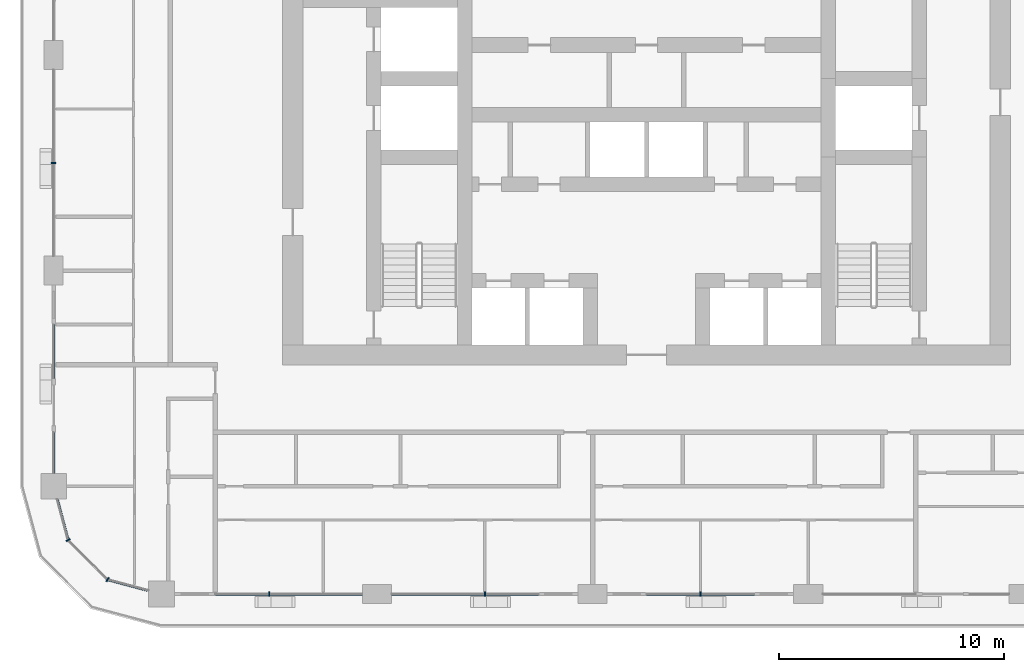
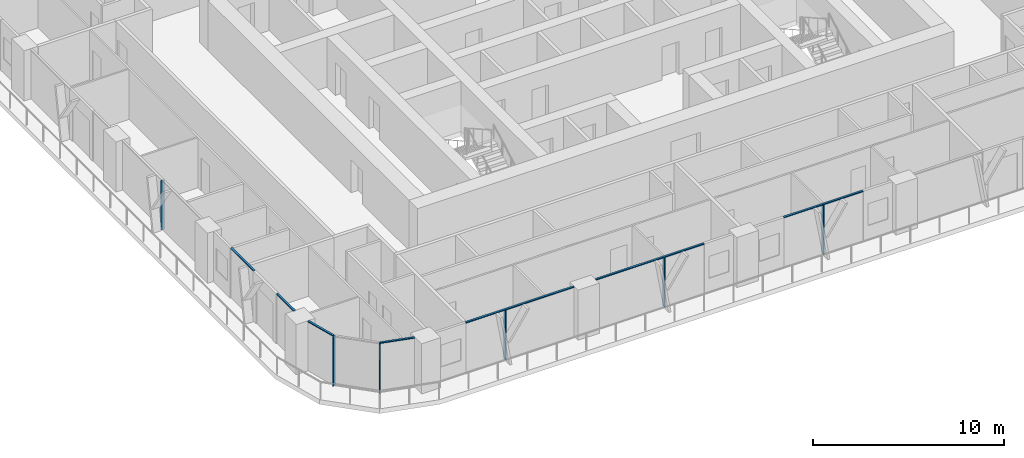
# One storey, part 2 of 21: 13 members, 6 elements without a shape of their own.
"""IFC4 building model written with IfcOpenShell, lengths in metres."""

from ifc_helpers import new_model, si_unit, direction, frame, origin, origin_2d, place, context, subcontext, project, spatial, rectangle, extrude, material, layer, layer_set, material_profile, profile_set, type_object, element, aggregate, save


model = new_model("IFC4")

# Units and contexts
model_context = context("Model", 3, precision=1e-05, world=origin(), true_north=direction((0.0, 1.0)))
body_context = subcontext(model_context, "Body", "Model", "MODEL_VIEW")
ifc_project = project(units=[si_unit("LENGTHUNIT", "METRE"), si_unit("AREAUNIT", "SQUARE_METRE"), si_unit("VOLUMEUNIT", "CUBIC_METRE"), si_unit("PLANEANGLEUNIT", "RADIAN"), si_unit("MASSUNIT", "GRAM", prefix="KILO")], contexts=[model_context])

# Site, building, storey
site_placement = place(None, origin())
site = spatial("IfcSite", under=ifc_project, at=site_placement, CompositionType="ELEMENT")
building_placement = place(site_placement, origin())
building = spatial("IfcBuilding", under=site, at=building_placement, Name="Madar Terraces", CompositionType="ELEMENT")
storey_placement = place(building_placement, frame((0.0, 0.0, 89.199951171875)))
storey = spatial("IfcBuildingStorey", under=building, at=storey_placement, Name="L22", CompositionType="ELEMENT", Elevation=89.199951171875)

# Curtain wall, member
ifc_material_1 = material(Name="Glass, ceramic frit dark grey, with black aluminium frame", Category="aluminium")
ifc_layer = layer(ifc_material_1, 0.199951171875)
ifc_layer_set = layer_set([ifc_layer], Name="Facade curtain wall, fritted glass")
curtain_wall_type = type_object("IfcCurtainWallType", Name="Facade curtain wall, fritted glass", PredefinedType="NOTDEFINED", material=ifc_layer_set)
curtain_wall_1_placement = place(storey_placement, origin())
curtain_wall_1 = element("IfcCurtainWall", 1, at=curtain_wall_1_placement, inside=storey, type_object=curtain_wall_type, Name="Outer skin curtain wall south bay 1", PredefinedType="NOTDEFINED")
ifc_material_2 = material(Name="Aluminium, black anodised", Category="aluminium")
ifc_material_profile_1 = material_profile(ifc_material_2, rectangle(XDim=0.199951171875, YDim=0.06005859375, at=origin_2d()), Name="Facade mullion 60x200")
ifc_profile_set_1 = profile_set([ifc_material_profile_1], Name="Aluminium, black anodised")
member_type_1 = type_object("IfcMemberType", Name="Facade mullion 60x200", PredefinedType="MULLION", material=ifc_profile_set_1)
member_1_placement = place(storey_placement, frame((14.39990234375, 4.800048828125, 0.0), z_axis=(0.0, 0.0, 1.0), x_axis=(0.0, 1.0, 0.0)))
member_1 = element("IfcMember", 2, at=member_1_placement, type_object=member_type_1, Name="Mullion 1", PredefinedType="MULLION", context=body_context, shape_type="SweptSolid", body=[
    extrude(rectangle(XDim=0.199951171875, YDim=0.06005859375, at=origin_2d()), origin(), (0.0, 0.0, 1.0), 3.14013671875),
])

curtain_wall_2_placement = place(storey_placement, origin())
curtain_wall_2 = element("IfcCurtainWall", 3, at=curtain_wall_2_placement, inside=storey, type_object=curtain_wall_type, Name="Outer skin curtain wall south bay 2", PredefinedType="NOTDEFINED")
member_2_placement = place(storey_placement, frame((24.0, 4.800048828125, 0.0), z_axis=(0.0, 0.0, 1.0), x_axis=(0.0, 1.0, 0.0)))
member_2 = element("IfcMember", 4, at=member_2_placement, type_object=member_type_1, Name="Mullion 1", PredefinedType="MULLION", context=body_context, shape_type="SweptSolid", body=[
    extrude(rectangle(XDim=0.199951171875, YDim=0.06005859375, at=origin_2d()), origin(), (0.0, 0.0, 1.0), 3.14013671875),
])

curtain_wall_3_placement = place(storey_placement, origin())
curtain_wall_3 = element("IfcCurtainWall", 5, at=curtain_wall_3_placement, inside=storey, type_object=curtain_wall_type, Name="Outer skin curtain wall south bay 3", PredefinedType="NOTDEFINED")
member_3_placement = place(storey_placement, frame((33.60009765625, 4.800048828125, 0.0), z_axis=(0.0, 0.0, 1.0), x_axis=(0.0, 1.0, 0.0)))
member_3 = element("IfcMember", 6, at=member_3_placement, type_object=member_type_1, Name="Mullion 1", PredefinedType="MULLION", context=body_context, shape_type="SweptSolid", body=[
    extrude(rectangle(XDim=0.199951171875, YDim=0.06005859375, at=origin_2d()), origin(), (0.0, 0.0, 1.0), 3.14013671875),
])

curtain_wall_4_placement = place(storey_placement, origin())
curtain_wall_4 = element("IfcCurtainWall", 7, at=curtain_wall_4_placement, inside=storey, type_object=curtain_wall_type, Name="Outer skin curtain wall west bay 3", PredefinedType="NOTDEFINED")
member_4_placement = place(storey_placement, frame((4.800048828125, 24.0, 0.0), z_axis=(0.0, 0.0, 1.0), x_axis=(1.0, 0.0, 0.0)))
member_4 = element("IfcMember", 8, at=member_4_placement, type_object=member_type_1, Name="Mullion 1", PredefinedType="MULLION", context=body_context, shape_type="SweptSolid", body=[
    extrude(rectangle(XDim=0.199951171875, YDim=0.06005859375, at=origin_2d()), origin(), (0.0, 0.0, 1.0), 3.14013671875),
])
aggregate(curtain_wall_4, [member_4])

# Curtain wall, members
curtain_wall_5_placement = place(storey_placement, origin())
curtain_wall_5 = element("IfcCurtainWall", 9, at=curtain_wall_5_placement, inside=storey, type_object=curtain_wall_type, Name="Outer skin curtain wall south-west corner", PredefinedType="NOTDEFINED")
member_5_placement = place(storey_placement, frame((5.443115234375, 7.199951171875, 0.0), z_axis=(0.0, 0.0, 1.0), x_axis=(0.866025409797, 0.499999989586, 0.0)))
member_5 = element("IfcMember", 10, at=member_5_placement, type_object=member_type_1, Name="Mullion 1", PredefinedType="MULLION", context=body_context, shape_type="SweptSolid", body=[
    extrude(rectangle(XDim=0.199951171875, YDim=0.06005859375, at=origin_2d()), origin(), (0.0, 0.0, 1.0), 3.14013671875),
])
member_6_placement = place(storey_placement, frame((7.199951171875, 5.443115234375, 0.0), z_axis=(0.0, 0.0, 1.0), x_axis=(0.499999989586, 0.866025409797, 0.0)))
member_6 = element("IfcMember", 11, at=member_6_placement, type_object=member_type_1, Name="Mullion 2", PredefinedType="MULLION", context=body_context, shape_type="SweptSolid", body=[
    extrude(rectangle(XDim=0.199951171875, YDim=0.06005859375, at=origin_2d()), origin(), (0.0, 0.0, 1.0), 3.14013671875),
])

# Member
ifc_material_3 = material(Name="Aluminium, black anodised", Category="aluminium")
ifc_material_profile_2 = material_profile(ifc_material_3, rectangle(XDim=0.1201171875, YDim=0.06005859375, at=origin_2d()), Name="Facade transom 60x120")
ifc_profile_set_2 = profile_set([ifc_material_profile_2], Name="Aluminium, black anodised")
member_type_2 = type_object("IfcMemberType", Name="Facade transom 60x120", PredefinedType="USERDEFINED", material=ifc_profile_set_2)
member_7_placement = place(storey_placement, frame((12.0, 4.800048828125, 3.170166015625), z_axis=(1.0, 0.0, 0.0), x_axis=(0.0, 1.0, 0.0)))
member_7 = element("IfcMember", 12, at=member_7_placement, type_object=member_type_2, Name="Transom 1", ObjectType="TRANSOM", PredefinedType="USERDEFINED", context=body_context, shape_type="SweptSolid", body=[
    extrude(rectangle(XDim=0.1201171875, YDim=0.06005859375, at=origin_2d()), origin(), (0.0, 0.0, 1.0), 6.550048828125),
])

aggregate(curtain_wall_1, [member_1, member_7])

member_8_placement = place(storey_placement, frame((19.85009765625, 4.800048828125, 3.170166015625), z_axis=(1.0, 0.0, 0.0), x_axis=(0.0, 1.0, 0.0)))
member_8 = element("IfcMember", 13, at=member_8_placement, type_object=member_type_2, Name="Transom 1", ObjectType="TRANSOM", PredefinedType="USERDEFINED", context=body_context, shape_type="SweptSolid", body=[
    extrude(rectangle(XDim=0.1201171875, YDim=0.06005859375, at=origin_2d()), origin(), (0.0, 0.0, 1.0), 6.5498046875),
])

aggregate(curtain_wall_2, [member_2, member_8])

member_9_placement = place(storey_placement, frame((31.199951171875, 4.800048828125, 3.170166015625), z_axis=(1.0, 0.0, 0.0), x_axis=(0.0, 1.0, 0.0)))
member_9 = element("IfcMember", 14, at=member_9_placement, type_object=member_type_2, Name="Transom 1", ObjectType="TRANSOM", PredefinedType="USERDEFINED", context=body_context, shape_type="SweptSolid", body=[
    extrude(rectangle(XDim=0.1201171875, YDim=0.06005859375, at=origin_2d()), origin(), (0.0, 0.0, 1.0), 4.800048828125),
])

aggregate(curtain_wall_3, [member_3, member_9])

# Curtain wall, members
curtain_wall_6_placement = place(storey_placement, origin())
curtain_wall_6 = element("IfcCurtainWall", 15, at=curtain_wall_6_placement, inside=storey, type_object=curtain_wall_type, Name="Outer skin curtain wall west bay 4", PredefinedType="NOTDEFINED")
member_10_placement = place(storey_placement, frame((4.800048828125, 16.800048828125, 3.170166015625), z_axis=(0.0, -1.0, 0.0), x_axis=(1.0, 0.0, 0.0)))
member_10 = element("IfcMember", 16, at=member_10_placement, type_object=member_type_2, Name="Transom 1", ObjectType="TRANSOM", PredefinedType="USERDEFINED", context=body_context, shape_type="SweptSolid", body=[
    extrude(rectangle(XDim=0.1201171875, YDim=0.06005859375, at=origin_2d()), origin(), (0.0, 0.0, 1.0), 2.400146484375),
])
member_11_placement = place(storey_placement, frame((4.800048828125, 12.0, 3.170166015625), z_axis=(0.0, -1.0, 0.0), x_axis=(1.0, 0.0, 0.0)))
member_11 = element("IfcMember", 17, at=member_11_placement, type_object=member_type_2, Name="Transom 2", ObjectType="TRANSOM", PredefinedType="USERDEFINED", context=body_context, shape_type="SweptSolid", body=[
    extrude(rectangle(XDim=0.1201171875, YDim=0.06005859375, at=origin_2d()), origin(), (0.0, 0.0, 1.0), 1.824951171875),
])
aggregate(curtain_wall_6, [member_10, member_11])

# Member
member_12_placement = place(storey_placement, frame((4.9541015625, 9.02490234375, 3.170166015625), z_axis=(0.258814847786, -0.965926950947, 0.0), x_axis=(0.965926950947, 0.258814847786, 0.0)))
member_12 = element("IfcMember", 18, at=member_12_placement, type_object=member_type_2, Name="Transom 1", ObjectType="TRANSOM", PredefinedType="USERDEFINED", context=body_context, shape_type="SweptSolid", body=[
    extrude(rectangle(XDim=0.1201171875, YDim=0.06005859375, at=origin_2d()), origin(), (0.0, 0.0, 1.0), 1.859130859375),
])

member_13_placement = place(storey_placement, frame((7.22900390625, 5.435302734375, 3.170166015625), z_axis=(0.965926950947, -0.258814847786, 0.0), x_axis=(0.258814847786, 0.965926950947, 0.0)))
member_13 = element("IfcMember", 19, at=member_13_placement, type_object=member_type_2, Name="Transom 3", ObjectType="TRANSOM", PredefinedType="USERDEFINED", context=body_context, shape_type="SweptSolid", body=[
    extrude(rectangle(XDim=0.1201171875, YDim=0.06005859375, at=origin_2d()), origin(), (0.0, 0.0, 1.0), 1.859130859375),
])

aggregate(curtain_wall_5, [member_5, member_12, member_6, member_13])

save(model, "model.ifc")
